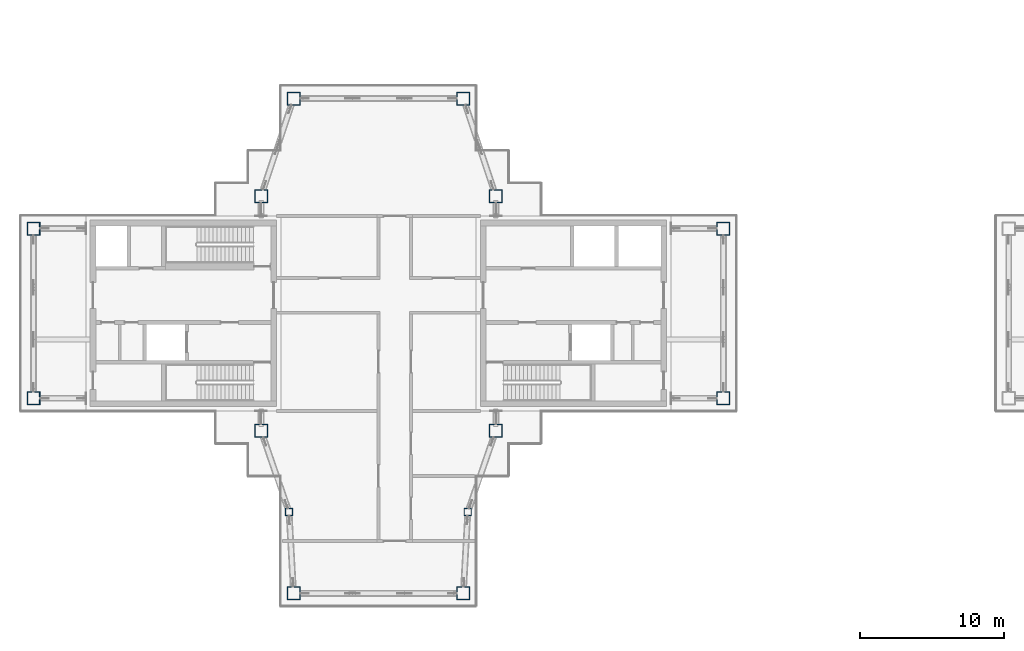
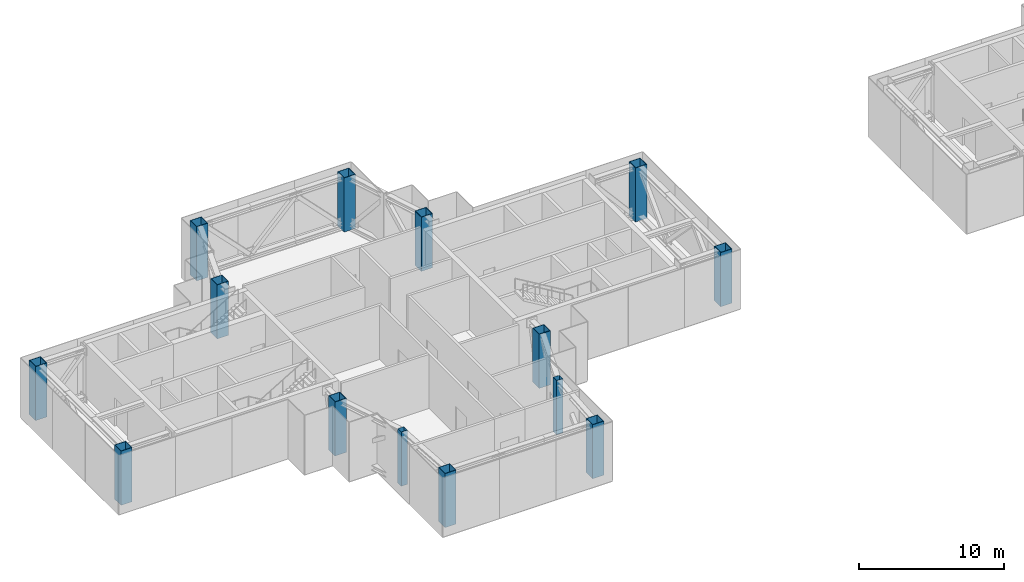
# One storey, part 1 of 18: 14 columns.
"""IFC4 building model written with IfcOpenShell, lengths in metres."""

from ifc_helpers import new_model, si_unit, direction, frame, origin, origin_2d, place, context, subcontext, project, spatial, hollow_rectangle, extrude, material, material_profile, profile_set, type_object, element, save


model = new_model("IFC4")

# Units and contexts
model_context = context("Model", 3, precision=1e-05, world=origin(), true_north=direction((0.0, 1.0)))
body_context = subcontext(model_context, "Body", "Model", "MODEL_VIEW")
ifc_project = project(units=[si_unit("LENGTHUNIT", "METRE"), si_unit("AREAUNIT", "SQUARE_METRE"), si_unit("VOLUMEUNIT", "CUBIC_METRE"), si_unit("PLANEANGLEUNIT", "RADIAN"), si_unit("MASSUNIT", "GRAM", prefix="KILO")], contexts=[model_context])

# Site, building, storey
site_placement = place(None, origin())
site = spatial("IfcSite", under=ifc_project, at=site_placement, CompositionType="ELEMENT")
building_placement = place(site_placement, origin())
building = spatial("IfcBuilding", under=site, at=building_placement, Name="Shamsa Quay Exchange Towers", CompositionType="ELEMENT")
storey_placement = place(building_placement, frame((0.0, 0.0, 273.300048828125)))
storey = spatial("IfcBuildingStorey", under=building, at=storey_placement, Name="L66", CompositionType="ELEMENT", Elevation=273.300048828125)

# Columns
ifc_material_1 = material(Name="Concrete-filled steel tube S355 / C60/75", Category="concrete")
ifc_material_profile_1 = material_profile(ifc_material_1, hollow_rectangle(XDim=0.5, YDim=0.5, WallThickness=0.01611328125, at=origin_2d()), Name="CFT 500x500x16")
ifc_profile_set_1 = profile_set([ifc_material_profile_1], Name="Concrete-filled steel tube S355 / C60/75")
column_type_1 = type_object("IfcColumnType", Name="Column CFT 500x500x16", PredefinedType="COLUMN", material=ifc_profile_set_1)
for number, where, name in (
    (1, (-39.9375, -13.75, 0.0), "Perimeter column T1-CP19"),
    (2, (-27.5625, -13.75, 0.0), "Perimeter column T1-CP22"),
):
    element("IfcColumn", number, at=place(storey_placement, frame(where)), inside=storey, type_object=column_type_1, Name=name, PredefinedType="COLUMN", context=body_context, shape_type="SweptSolid", body=[
        extrude(hollow_rectangle(XDim=0.5, YDim=0.5, WallThickness=0.01611328125, at=origin_2d()), origin(), (0.0, 0.0, 1.0), 4.550048828125),
    ])
ifc_material_2 = material(Name="Concrete-filled steel tube S355 / C80/95", Category="concrete")
ifc_material_profile_2 = material_profile(ifc_material_2, hollow_rectangle(XDim=0.89990234375, YDim=0.89990234375, WallThickness=0.035888671875, at=origin_2d()), Name="CFT 900x900x36")
ifc_profile_set_2 = profile_set([ifc_material_profile_2], Name="Concrete-filled steel tube S355 / C80/95")
column_type_2 = type_object("IfcColumnType", Name="Column CFT 900x900x36", PredefinedType="COLUMN", material=ifc_profile_set_2)
for number, where, name in (
    (3, (-25.625, 8.125, 0.0), "Mega column T1-CM01"),
    (4, (-25.625, -8.125, 0.0), "Mega column T1-CM02"),
    (5, (-41.875, 8.125, 0.0), "Mega column T1-CM03"),
    (6, (-41.875, -8.125, 0.0), "Mega column T1-CM04"),
    (7, (-9.875, -5.875, 0.0), "Mega column T1-CM05"),
    (8, (-9.875, 5.875, 0.0), "Mega column T1-CM07"),
    (9, (-57.625, -5.875, 0.0), "Mega column T1-CM09"),
    (10, (-57.625, 5.875, 0.0), "Mega column T1-CM11"),
    (11, (-39.625, 14.875, 0.0), "Mega column T1-CM13"),
    (12, (-27.875, 14.875, 0.0), "Mega column T1-CM16"),
    (13, (-39.625, -19.375, 0.0), "Mega column T1-CM20"),
    (14, (-27.875, -19.375, 0.0), "Mega column T1-CM23"),
):
    element("IfcColumn", number, at=place(storey_placement, frame(where)), inside=storey, type_object=column_type_2, Name=name, PredefinedType="COLUMN", context=body_context, shape_type="SweptSolid", body=[
        extrude(hollow_rectangle(XDim=0.89990234375, YDim=0.89990234375, WallThickness=0.035888671875, at=origin_2d()), origin(), (0.0, 0.0, 1.0), 4.550048828125),
    ])

save(model, "model.ifc")
